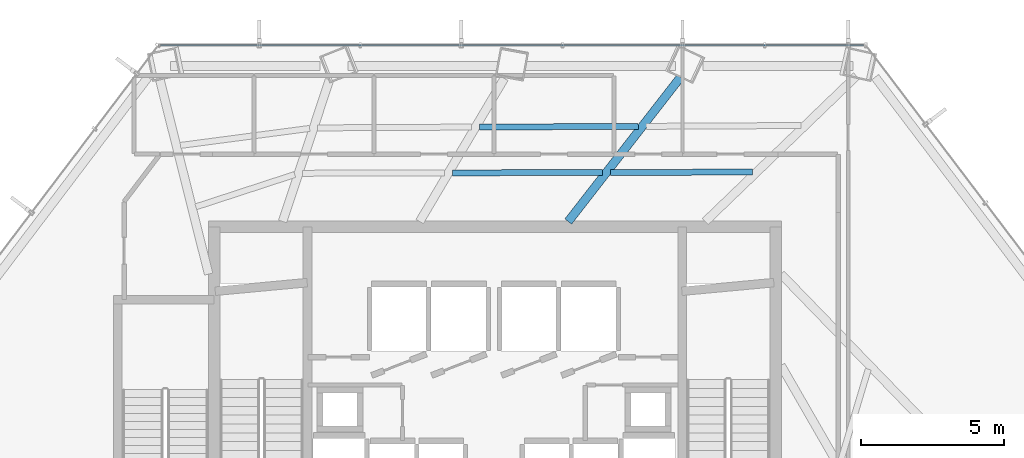
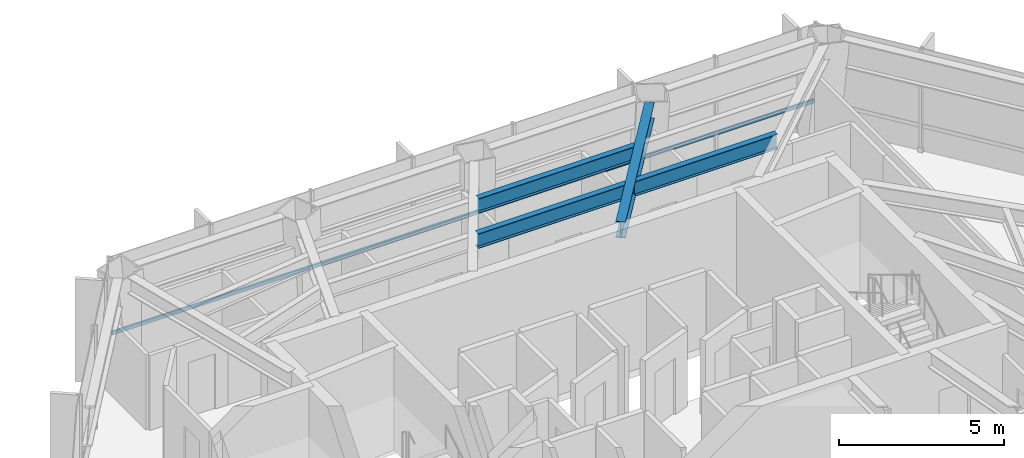
# One storey, part 12 of 24: 4 beams, 1 member, 1 element without a shape of its own.
"""IFC4 building model written with IfcOpenShell, lengths in metres."""

from ifc_helpers import new_model, si_unit, direction, frame, origin, origin_2d, place, context, subcontext, project, spatial, hollow_rectangle, i_section, extrude, material, layer, layer_set, material_profile, profile_set, type_object, element, aggregate, save


model = new_model("IFC4")

# Units and contexts
model_context = context("Model", 3, precision=1e-05, world=origin(), true_north=direction((0.0, 1.0)))
body_context = subcontext(model_context, "Body", "Model", "MODEL_VIEW")
ifc_project = project(units=[si_unit("LENGTHUNIT", "METRE"), si_unit("AREAUNIT", "SQUARE_METRE"), si_unit("VOLUMEUNIT", "CUBIC_METRE"), si_unit("PLANEANGLEUNIT", "RADIAN"), si_unit("MASSUNIT", "GRAM", prefix="KILO")], contexts=[model_context])

# Site, building, storey
site_placement = place(None, origin())
site = spatial("IfcSite", under=ifc_project, at=site_placement, CompositionType="ELEMENT")
building_placement = place(site_placement, origin())
building = spatial("IfcBuilding", under=site, at=building_placement, Name="Zarrinselat Tower", CompositionType="ELEMENT")
storey_placement = place(building_placement, frame((0.0, 0.0, 68.340087890625)))
storey = spatial("IfcBuildingStorey", under=building, at=storey_placement, Name="L16", CompositionType="ELEMENT", Elevation=68.340087890625)

# Beams
ifc_material_1 = material(Name="Steel S355J2", Category="steel")
ifc_material_profile_1 = material_profile(ifc_material_1, i_section(OverallWidth=0.300048828125, OverallDepth=0.60009765625, WebThickness=0.015380859375, FlangeThickness=0.030029296875, at=origin_2d()), Name="HEB 600")
ifc_profile_set_1 = profile_set([ifc_material_profile_1], Name="Steel S355J2")
beam_type_1 = type_object("IfcBeamType", Name="BM-HEB600", PredefinedType="BEAM", material=ifc_profile_set_1)
beam_1_placement = place(storey_placement, frame((41.0, 43.639892578125, 3.52001953125), z_axis=(0.614083328186, 0.789241196368, 0.0), x_axis=(-0.789241196368, 0.614083328186, 0.0)))
element("IfcBeam", 1, at=beam_1_placement, inside=storey, type_object=beam_type_1, Name="L16 Radial Primary Girder RG02", PredefinedType="BEAM", context=body_context, shape_type="SweptSolid", body=[
    extrude(i_section(OverallWidth=0.300048828125, OverallDepth=0.60009765625, WebThickness=0.015380859375, FlangeThickness=0.030029296875, at=origin_2d()), origin(), (0.0, 0.0, 1.0), 6.39501953125),
])
ifc_material_2 = material(Name="Steel S355J2", Category="steel")
ifc_material_profile_2 = material_profile(ifc_material_2, i_section(OverallWidth=0.2099609375, OverallDepth=0.550048828125, WebThickness=0.010986328125, FlangeThickness=0.01708984375, at=origin_2d()), Name="IPE 550")
ifc_profile_set_2 = profile_set([ifc_material_profile_2], Name="Steel S355J2")
beam_type_2 = type_object("IfcBeamType", Name="BM-IPE550", PredefinedType="JOIST", material=ifc_profile_set_2)
beam_2_placement = place(storey_placement, frame((42.47509765625, 45.3564453125, 3.544921875), z_axis=(0.999995237974, 0.003086102674, 0.0), x_axis=(-0.003086102674, 0.999995237974, 0.0)))
element("IfcBeam", 2, at=beam_2_placement, inside=storey, type_object=beam_type_2, Name="L16 Composite Floor Joist 7-2", PredefinedType="JOIST", context=body_context, shape_type="SweptSolid", body=[
    extrude(i_section(OverallWidth=0.2099609375, OverallDepth=0.550048828125, WebThickness=0.010986328125, FlangeThickness=0.01708984375, at=origin_2d()), origin(), (0.0, 0.0, 1.0), 4.98388671875),
])
beam_3_placement = place(storey_placement, frame((37.894775390625, 46.947998046875, 3.544921875), z_axis=(0.999991831929, 0.004041791079, 0.0), x_axis=(-0.004041791079, 0.999991831929, 0.0)))
element("IfcBeam", 3, at=beam_3_placement, inside=storey, type_object=beam_type_2, Name="L16 Composite Floor Joist 8-1", PredefinedType="JOIST", context=body_context, shape_type="SweptSolid", body=[
    extrude(i_section(OverallWidth=0.2099609375, OverallDepth=0.550048828125, WebThickness=0.010986328125, FlangeThickness=0.01708984375, at=origin_2d()), origin(), (0.0, 0.0, 1.0), 5.55712890625),
])
beam_4_placement = place(storey_placement, frame((36.947021484375, 45.343994140625, 3.544921875), z_axis=(0.999997506924, 0.00223296801, 0.0), x_axis=(-0.00223296801, 0.999997506924, 0.0)))
element("IfcBeam", 4, at=beam_4_placement, inside=storey, type_object=beam_type_2, Name="L16 Composite Floor Joist 8-2", PredefinedType="JOIST", context=body_context, shape_type="SweptSolid", body=[
    extrude(i_section(OverallWidth=0.2099609375, OverallDepth=0.550048828125, WebThickness=0.010986328125, FlangeThickness=0.01708984375, at=origin_2d()), origin(), (0.0, 0.0, 1.0), 5.248046875),
])

# Curtain wall, member
ifc_material_3 = material(Name="Extruded Aluminium Alloy EN AW-6063 T6", Category="aluminium")
ifc_layer = layer(ifc_material_3, 0.18505859375)
ifc_layer_set = layer_set([ifc_layer], Name="Extruded Aluminium Alloy EN AW-6063 T6")
curtain_wall_type = type_object("IfcCurtainWallType", Name="CWS-OFF", PredefinedType="NOTDEFINED", material=ifc_layer_set)
curtain_wall_placement = place(storey_placement, origin())
curtain_wall = element("IfcCurtainWall", 5, at=curtain_wall_placement, inside=storey, type_object=curtain_wall_type, Name="L16 Unitised Curtain Wall CW-L16-E02", PredefinedType="NOTDEFINED")
ifc_material_4 = material(Name="Extruded Aluminium Alloy EN AW-6063 T6", Category="aluminium")
ifc_material_profile_3 = material_profile(ifc_material_4, hollow_rectangle(XDim=0.06005859375, YDim=0.139892578125, WallThickness=0.00390625, at=origin_2d()), Name="RHS 140x60x4")
ifc_profile_set_3 = profile_set([ifc_material_profile_3], Name="Extruded Aluminium Alloy EN AW-6063 T6")
member_type = type_object("IfcMemberType", Name="MEM-CW-TRN", PredefinedType="USERDEFINED", material=ifc_profile_set_3)
member_placement = place(storey_placement, frame((26.7265625, 49.81103515625, 0.949951171875), z_axis=(1.0, 0.0, 0.0), x_axis=(0.0, 1.0, 0.0)))
member = element("IfcMember", 6, at=member_placement, type_object=member_type, Name="CW-L16-E02 Transom 1", ObjectType="TRANSOM", PredefinedType="USERDEFINED", context=body_context, shape_type="SweptSolid", body=[
    extrude(hollow_rectangle(XDim=0.06005859375, YDim=0.139892578125, WallThickness=0.00390625, at=origin_2d()), origin(), (0.0, 0.0, 1.0), 24.609375),
])
aggregate(curtain_wall, [member])

save(model, "model.ifc")
